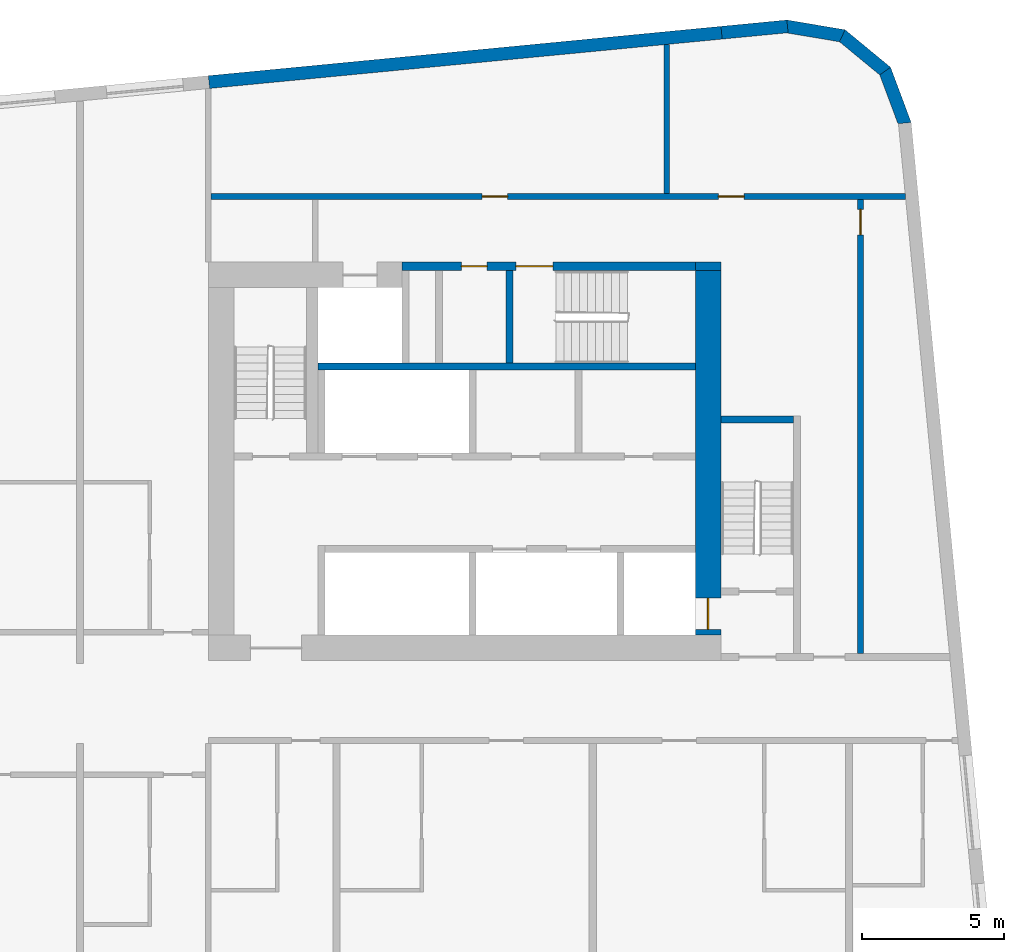
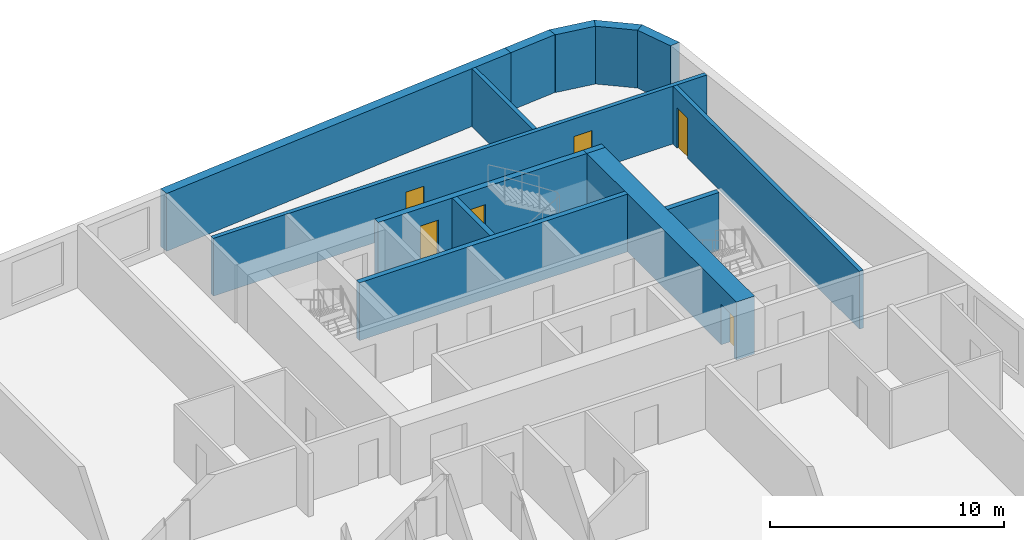
# One storey, part 8 of 12: 14 walls, 6 doors, 6 openings.
"""IFC4 building model written with IfcOpenShell, lengths in metres."""

from ifc_helpers import new_model, si_unit, direction, frame, frame_2d, origin, place, context, subcontext, project, spatial, polyline, rectangle, outline, extrude, material, layer, layer_set, type_object, element, fill, save


model = new_model("IFC4")

# Units and contexts
model_context = context("Model", 3, precision=1e-05, world=origin(), true_north=direction((0.0, 1.0)))
body_context = subcontext(model_context, "Body", "Model", "MODEL_VIEW")
ifc_project = project(units=[si_unit("LENGTHUNIT", "METRE"), si_unit("AREAUNIT", "SQUARE_METRE"), si_unit("VOLUMEUNIT", "CUBIC_METRE"), si_unit("PLANEANGLEUNIT", "RADIAN"), si_unit("MASSUNIT", "GRAM", prefix="KILO")], contexts=[model_context])

# Site, building, storey
site_placement = place(None, origin())
site = spatial("IfcSite", under=ifc_project, at=site_placement, CompositionType="ELEMENT")
building_placement = place(site_placement, origin())
building = spatial("IfcBuilding", under=site, at=building_placement, Name="Kajstack Hotel Tower", CompositionType="ELEMENT")
storey_placement = place(building_placement, frame((0.0, 0.0, 180.10009765625)))
storey = spatial("IfcBuildingStorey", under=building, at=storey_placement, Name="L42", CompositionType="ELEMENT", Elevation=180.10009765625)

# Wall
ifc_material_1 = material(Name="Concrete C60/75", Category="concrete")
ifc_layer_1 = layer(ifc_material_1, 0.89990234375)
ifc_layer_set_1 = layer_set([ifc_layer_1], Name="Core wall 900")
wall_type_1 = type_object("IfcWallType", Name="Core wall 900", PredefinedType="SHEAR", material=ifc_layer_set_1)
wall_1_placement = place(storey_placement, frame((30.60009765625, 15.35009765625, 0.0), z_axis=(0.0, 0.0, 1.0), x_axis=(1.0, 0.0, 0.0)))
element("IfcWall", 1, at=wall_1_placement, inside=storey, type_object=wall_type_1, Name="Core wall E RSW", PredefinedType="SHEAR", context=body_context, shape_type="SweptSolid", body=[
    extrude(rectangle(XDim=0.89990234375, YDim=0.300048828125, at=frame_2d((0.449951171875, 0.0))), origin(), (0.0, 0.0, 1.0), 3.02001953125),
])

# Wall, opening, door
wall_2_placement = place(storey_placement, frame((31.050048828125, 2.39990234375, 0.0), z_axis=(0.0, 0.0, 1.0), x_axis=(0.0, 1.0, 0.0)))
wall_2 = element("IfcWall", 2, at=wall_2_placement, inside=storey, type_object=wall_type_1, Name="Core wall E RW", PredefinedType="SHEAR", context=body_context, shape_type="SweptSolid", body=[
    extrude(rectangle(XDim=12.800048828125, YDim=0.89990234375, at=frame_2d((6.39990234375, 0.0))), origin(), (0.0, 0.0, 1.0), 3.02001953125),
])
opening_1_placement = place(wall_2_placement, frame((0.199951171875, 0.0, 0.0)))
opening_1 = element("IfcOpeningElement", 3, at=opening_1_placement, cuts=wall_2, Name="Opening LD-FF2", PredefinedType="OPENING", context=body_context, shape_type="SweptSolid", body=[
    extrude(rectangle(XDim=1.10009765625, YDim=2.10009765625, at=frame_2d((0.550048828125, 1.050048828125))), frame((0.0, 0.4599609375, 0.0), z_axis=(0.0, -1.0, 0.0), x_axis=(1.0, 0.0, 0.0)), (0.0, 0.0, 1.0), 0.919921875),
])
ifc_material_2 = material(Name="Stainless steel", Category="steel")
door_type_1 = type_object("IfcDoorType", Name="Fire-fighting lift landing door 1100", OperationType="SLIDING_TO_LEFT", PredefinedType="DOOR", material=ifc_material_2)
door_1_placement = place(opening_1_placement, origin())
door_1 = element("IfcDoor", 4, at=door_1_placement, inside=storey, type_object=door_type_1, Name="Landing door FF2", OperationType="SLIDING_TO_LEFT", OverallHeight=2.10009765625, OverallWidth=1.10009765625, PredefinedType="DOOR", context=body_context, shape_type="SweptSolid", body=[
    extrude(rectangle(XDim=1.10009765625, YDim=2.10009765625, at=frame_2d((0.550048828125, 1.050048828125))), frame((0.0, 0.02490234375, 0.0), z_axis=(0.0, -1.0, 0.0), x_axis=(1.0, 0.0, 0.0)), (0.0, 0.0, 1.0), 0.050048828125),
])
fill(opening_1, door_1)

# Walls
ifc_material_3 = material(Name="Concrete C40/50", Category="concrete")
ifc_layer_2 = layer(ifc_material_3, 0.449951171875)
ifc_layer_set_2 = layer_set([ifc_layer_2], Name="EW-CORE")
wall_type_2 = type_object("IfcWallType", Name="EW-CORE", PredefinedType="SOLIDWALL", material=ifc_layer_set_2)
wall_3_placement = place(storey_placement, frame((31.521484375, 23.55078125, 0.0), z_axis=(0.0, 0.0, 1.0), x_axis=(-0.995395166513, -0.095856468129, 0.0)))
element("IfcWall", 5, at=wall_3_placement, inside=storey, type_object=wall_type_2, Name="E-wall-L42-12-01", PredefinedType="SOLIDWALL", context=body_context, shape_type="SweptSolid", body=[
    extrude(rectangle(XDim=18.083251953125, YDim=0.449951171875, at=frame_2d((9.04150390625, 0.0))), origin(), (0.0, 0.0, 1.0), 3.02001953125),
])
ifc_material_4 = material(Name="Terracotta-faced brick masonry", Category="masonry")
ifc_layer_3 = layer(ifc_material_4, 0.449951171875)
ifc_layer_set_3 = layer_set([ifc_layer_3], Name="EW-TERRA")
wall_type_3 = type_object("IfcWallType", Name="EW-TERRA", PredefinedType="SOLIDWALL", material=ifc_layer_set_3)
wall_4_placement = place(storey_placement, frame((37.96875, 20.320556640625, 0.0), z_axis=(0.0, 0.0, 1.0), x_axis=(-0.350192909346, 0.936677599948, 0.0)))
element("IfcWall", 6, at=wall_4_placement, inside=storey, type_object=wall_type_3, Name="E-wall-L42-09-00", PredefinedType="SOLIDWALL", context=body_context, shape_type="SweptSolid", body=[
    extrude(outline(polyline([(0.0, -0.22509765625), (2.070556640625, -0.22509765625), (1.949951171875, 0.22509765625), (0.12060546875, 0.224853515625), (0.0, -0.22509765625)])), origin(), (0.0, 0.0, 1.0), 3.02001953125),
])
wall_5_placement = place(storey_placement, frame((37.311279296875, 22.165283203125, 0.0), z_axis=(0.0, 0.0, 1.0), x_axis=(-0.771651049663, 0.636046112757, 0.0)))
element("IfcWall", 7, at=wall_5_placement, inside=storey, type_object=wall_type_3, Name="E-wall-L42-10-00", PredefinedType="SOLIDWALL", context=body_context, shape_type="SweptSolid", body=[
    extrude(outline(polyline([(0.0, -0.224853515625), (2.0703125, -0.22509765625), (1.94970703125, 0.224853515625), (0.12060546875, 0.22509765625), (0.0, -0.224853515625)])), origin(), (0.0, 0.0, 1.0), 3.02001953125),
])
wall_6_placement = place(storey_placement, frame((35.819580078125, 23.433837890625, 0.0), z_axis=(0.0, 0.0, 1.0), x_axis=(-0.986278951104, 0.165087342366, 0.0)))
element("IfcWall", 8, at=wall_6_placement, inside=storey, type_object=wall_type_3, Name="E-wall-L42-11-00", PredefinedType="SOLIDWALL", context=body_context, shape_type="SweptSolid", body=[
    extrude(outline(polyline([(0.0, -0.22509765625), (2.070556640625, -0.224853515625), (1.949951171875, 0.22509765625), (0.12060546875, 0.224853515625), (0.0, -0.22509765625)])), origin(), (0.0, 0.0, 1.0), 3.02001953125),
])
wall_7_placement = place(storey_placement, frame((33.836181640625, 23.7734375, 0.0), z_axis=(0.0, 0.0, 1.0), x_axis=(-0.995405373555, -0.095750416695, 0.0)))
element("IfcWall", 9, at=wall_7_placement, inside=storey, type_object=wall_type_3, Name="E-wall-L42-12-00", PredefinedType="SOLIDWALL", context=body_context, shape_type="SweptSolid", body=[
    extrude(rectangle(XDim=2.325439453125, YDim=0.449951171875, at=frame_2d((1.16259765625, 0.0))), origin(), (0.0, 0.0, 1.0), 3.02001953125),
])

# Wall, opening, door
ifc_material_5 = material(Name="Gypsum board on steel studs, mineral wool", Category="steel")
ifc_layer_4 = layer(ifc_material_5, 0.199951171875)
ifc_layer_set_4 = layer_set([ifc_layer_4], Name="Service partition 200")
wall_type_4 = type_object("IfcWallType", Name="Service partition 200", PredefinedType="PARTITIONING", material=ifc_layer_set_4)
wall_8_placement = place(storey_placement, frame((36.39990234375, 1.75, 0.0), z_axis=(0.0, 0.0, 1.0), x_axis=(0.0, 1.0, 0.0)))
wall_8 = element("IfcWall", 10, at=wall_8_placement, inside=storey, type_object=wall_type_4, Name="Partition E WRE", PredefinedType="PARTITIONING", context=body_context, shape_type="SweptSolid", body=[
    extrude(rectangle(XDim=15.949951171875, YDim=0.199951171875, at=frame_2d((7.97509765625, 0.0))), origin(), (0.0, 0.0, 1.0), 3.02001953125),
])
opening_2_placement = place(wall_8_placement, frame((14.699951171875, 0.0, 0.0)))
opening_2 = element("IfcOpeningElement", 11, at=opening_2_placement, cuts=wall_8, Name="Opening 42E18", PredefinedType="OPENING", context=body_context, shape_type="SweptSolid", body=[
    extrude(rectangle(XDim=0.89990234375, YDim=2.10009765625, at=frame_2d((0.449951171875, 1.050048828125))), frame((0.0, 0.10986328125, 0.0), z_axis=(0.0, -1.0, 0.0), x_axis=(1.0, 0.0, 0.0)), (0.0, 0.0, 1.0), 0.219970703125),
])
ifc_material_6 = material(Name="Timber leaf, fire-rated", Category="wood")
door_type_2 = type_object("IfcDoorType", Name="Service door 900", OperationType="SINGLE_SWING_LEFT", PredefinedType="DOOR", material=ifc_material_6)
door_2_placement = place(opening_2_placement, origin())
door_2 = element("IfcDoor", 12, at=door_2_placement, inside=storey, type_object=door_type_2, Name="Door 42E18", OperationType="SINGLE_SWING_RIGHT", OverallHeight=2.10009765625, OverallWidth=0.89990234375, PredefinedType="DOOR", context=body_context, shape_type="SweptSolid", body=[
    extrude(rectangle(XDim=0.89990234375, YDim=2.10009765625, at=frame_2d((0.449951171875, 1.050048828125))), frame((0.0, 0.02490234375, 0.0), z_axis=(0.0, -1.0, 0.0), x_axis=(1.0, 0.0, 0.0)), (0.0, 0.0, 1.0), 0.050048828125),
])
fill(opening_2, door_2)

# Wall, openings, doors
wall_9_placement = place(storey_placement, frame((13.60009765625, 17.800048828125, 0.0), z_axis=(0.0, 0.0, 1.0), x_axis=(1.0, 0.0, 0.0)))
wall_9 = element("IfcWall", 13, at=wall_9_placement, inside=storey, type_object=wall_type_4, Name="Partition E SLN", PredefinedType="PARTITIONING", context=body_context, shape_type="SweptSolid", body=[
    extrude(rectangle(XDim=24.377685546875, YDim=0.199951171875, at=frame_2d((12.18896484375, 0.0))), origin(), (0.0, 0.0, 1.0), 3.02001953125),
])
opening_3_placement = place(wall_9_placement, frame((17.8125, 0.0, 0.0)))
opening_3 = element("IfcOpeningElement", 14, at=opening_3_placement, cuts=wall_9, Name="Opening 42E16", PredefinedType="OPENING", context=body_context, shape_type="SweptSolid", body=[
    extrude(rectangle(XDim=0.89990234375, YDim=2.10009765625, at=frame_2d((0.449951171875, 1.050048828125))), frame((0.0, 0.10986328125, 0.0), z_axis=(0.0, -1.0, 0.0), x_axis=(1.0, 0.0, 0.0)), (0.0, 0.0, 1.0), 0.219970703125),
])
opening_4_placement = place(wall_9_placement, frame((9.512451171875, 0.0, 0.0)))
opening_4 = element("IfcOpeningElement", 15, at=opening_4_placement, cuts=wall_9, Name="Opening 42E17", PredefinedType="OPENING", context=body_context, shape_type="SweptSolid", body=[
    extrude(rectangle(XDim=0.89990234375, YDim=2.10009765625, at=frame_2d((0.449951171875, 1.050048828125))), frame((0.0, 0.10986328125, 0.0), z_axis=(0.0, -1.0, 0.0), x_axis=(1.0, 0.0, 0.0)), (0.0, 0.0, 1.0), 0.219970703125),
])
door_3_placement = place(opening_3_placement, origin())
door_3 = element("IfcDoor", 16, at=door_3_placement, inside=storey, type_object=door_type_2, Name="Door 42E16", OperationType="SINGLE_SWING_LEFT", OverallHeight=2.10009765625, OverallWidth=0.89990234375, PredefinedType="DOOR", context=body_context, shape_type="SweptSolid", body=[
    extrude(rectangle(XDim=0.89990234375, YDim=2.10009765625, at=frame_2d((0.449951171875, 1.050048828125))), frame((0.0, 0.02490234375, 0.0), z_axis=(0.0, -1.0, 0.0), x_axis=(1.0, 0.0, 0.0)), (0.0, 0.0, 1.0), 0.050048828125),
])
fill(opening_3, door_3)
door_4_placement = place(opening_4_placement, origin())
door_4 = element("IfcDoor", 17, at=door_4_placement, inside=storey, type_object=door_type_2, Name="Door 42E17", OperationType="SINGLE_SWING_LEFT", OverallHeight=2.10009765625, OverallWidth=0.89990234375, PredefinedType="DOOR", context=body_context, shape_type="SweptSolid", body=[
    extrude(rectangle(XDim=0.89990234375, YDim=2.10009765625, at=frame_2d((0.449951171875, 1.050048828125))), frame((0.0, 0.02490234375, 0.0), z_axis=(0.0, -1.0, 0.0), x_axis=(1.0, 0.0, 0.0)), (0.0, 0.0, 1.0), 0.050048828125),
])
fill(opening_4, door_4)

# Wall
wall_10_placement = place(storey_placement, frame((29.60009765625, 17.89990234375, 0.0), z_axis=(0.0, 0.0, 1.0), x_axis=(0.0, 1.0, 0.0)))
element("IfcWall", 18, at=wall_10_placement, inside=storey, type_object=wall_type_4, Name="Partition E SLP0", PredefinedType="PARTITIONING", context=body_context, shape_type="SweptSolid", body=[
    extrude(rectangle(XDim=5.24072265625, YDim=0.199951171875, at=frame_2d((2.620361328125, 0.0))), origin(), (0.0, 0.0, 1.0), 3.02001953125),
])

# Wall, openings, doors
ifc_material_7 = material(Name="Concrete C50/60", Category="concrete")
ifc_layer_5 = layer(ifc_material_7, 0.25)
ifc_layer_set_5 = layer_set([ifc_layer_5], Name="Shaft wall 250")
wall_type_5 = type_object("IfcWallType", Name="Shaft wall 250", PredefinedType="SHEAR", material=ifc_layer_set_5)
wall_11_placement = place(storey_placement, frame((20.300048828125, 15.35009765625, 0.0), z_axis=(0.0, 0.0, 1.0), x_axis=(1.0, 0.0, 0.0)))
wall_11 = element("IfcWall", 19, at=wall_11_placement, inside=storey, type_object=wall_type_5, Name="Core wall E RSS", PredefinedType="SHEAR", context=body_context, shape_type="SweptSolid", body=[
    extrude(rectangle(XDim=10.300048828125, YDim=0.300048828125, at=frame_2d((5.14990234375, 0.0))), origin(), (0.0, 0.0, 1.0), 3.02001953125),
])
opening_5_placement = place(wall_11_placement, frame((4.0, 0.0, 0.0)))
opening_5 = element("IfcOpeningElement", 20, at=opening_5_placement, cuts=wall_11, Name="Opening 42E12", PredefinedType="OPENING", context=body_context, shape_type="SweptSolid", body=[
    extrude(rectangle(XDim=1.300048828125, YDim=2.10009765625, at=frame_2d((0.64990234375, 1.050048828125))), frame((0.0, 0.159912109375, 0.0), z_axis=(0.0, -1.0, 0.0), x_axis=(1.0, 0.0, 0.0)), (0.0, 0.0, 1.0), 0.320068359375),
])
opening_6_placement = place(wall_11_placement, frame((2.08740234375, 0.0, 0.0)))
opening_6 = element("IfcOpeningElement", 21, at=opening_6_placement, cuts=wall_11, Name="Opening 42E13", PredefinedType="OPENING", context=body_context, shape_type="SweptSolid", body=[
    extrude(rectangle(XDim=0.89990234375, YDim=2.10009765625, at=frame_2d((0.449951171875, 1.050048828125))), frame((0.0, 0.159912109375, 0.0), z_axis=(0.0, -1.0, 0.0), x_axis=(1.0, 0.0, 0.0)), (0.0, 0.0, 1.0), 0.320068359375),
])
door_5_placement = place(opening_6_placement, origin())
door_5 = element("IfcDoor", 22, at=door_5_placement, inside=storey, type_object=door_type_2, Name="Door 42E13", OperationType="SINGLE_SWING_RIGHT", OverallHeight=2.10009765625, OverallWidth=0.89990234375, PredefinedType="DOOR", context=body_context, shape_type="SweptSolid", body=[
    extrude(rectangle(XDim=0.89990234375, YDim=2.10009765625, at=frame_2d((0.449951171875, 1.050048828125))), frame((0.0, 0.02490234375, 0.0), z_axis=(0.0, -1.0, 0.0), x_axis=(1.0, 0.0, 0.0)), (0.0, 0.0, 1.0), 0.050048828125),
])
fill(opening_6, door_5)
ifc_material_8 = material(Name="Steel leaf, fire-rated", Category="steel")
door_type_3 = type_object("IfcDoorType", Name="Stair door 1300", OperationType="SINGLE_SWING_LEFT", PredefinedType="DOOR", material=ifc_material_8)
door_6_placement = place(opening_5_placement, origin())
door_6 = element("IfcDoor", 23, at=door_6_placement, inside=storey, type_object=door_type_3, Name="Door 42E12", OperationType="SINGLE_SWING_LEFT", OverallHeight=2.10009765625, OverallWidth=1.300048828125, PredefinedType="DOOR", context=body_context, shape_type="SweptSolid", body=[
    extrude(rectangle(XDim=1.300048828125, YDim=2.10009765625, at=frame_2d((0.64990234375, 1.050048828125))), frame((0.0, 0.02490234375, 0.0), z_axis=(0.0, -1.0, 0.0), x_axis=(1.0, 0.0, 0.0)), (0.0, 0.0, 1.0), 0.050048828125),
])
fill(opening_5, door_6)

# Walls
wall_12_placement = place(storey_placement, frame((17.35009765625, 11.824951171875, 0.0), z_axis=(0.0, 0.0, 1.0), x_axis=(1.0, 0.0, 0.0)))
element("IfcWall", 24, at=wall_12_placement, inside=storey, type_object=wall_type_5, Name="Core wall E RB", PredefinedType="SHEAR", context=body_context, shape_type="SweptSolid", body=[
    extrude(rectangle(XDim=13.25, YDim=0.25, at=frame_2d((6.625, 0.0))), origin(), (0.0, 0.0, 1.0), 3.02001953125),
])
ifc_layer_6 = layer(ifc_material_3, 0.25)
ifc_layer_set_6 = layer_set([ifc_layer_6], Name="Stair enclosure wall 250")
wall_type_6 = type_object("IfcWallType", Name="Stair enclosure wall 250", PredefinedType="SHEAR", material=ifc_layer_set_6)
wall_13_placement = place(storey_placement, frame((31.5, 9.97509765625, 0.0), z_axis=(0.0, 0.0, 1.0), x_axis=(1.0, 0.0, 0.0)))
element("IfcWall", 25, at=wall_13_placement, inside=storey, type_object=wall_type_6, Name="Core wall E W1S", PredefinedType="SHEAR", context=body_context, shape_type="SweptSolid", body=[
    extrude(rectangle(XDim=2.550048828125, YDim=0.25, at=frame_2d((1.27490234375, 0.0))), origin(), (0.0, 0.0, 1.0), 3.02001953125),
])
ifc_layer_7 = layer(ifc_material_7, 0.35009765625)
ifc_layer_set_7 = layer_set([ifc_layer_7], Name="Stair enclosure wall 350")
wall_type_7 = type_object("IfcWallType", Name="Stair enclosure wall 350", PredefinedType="SHEAR", material=ifc_layer_set_7)
wall_14_placement = place(storey_placement, frame((24.074951171875, 11.949951171875, 0.0), z_axis=(0.0, 0.0, 1.0), x_axis=(0.0, 1.0, 0.0)))
element("IfcWall", 26, at=wall_14_placement, inside=storey, type_object=wall_type_7, Name="Core wall E W3E", PredefinedType="SHEAR", context=body_context, shape_type="SweptSolid", body=[
    extrude(rectangle(XDim=3.25, YDim=0.25, at=frame_2d((1.625, 0.0))), origin(), (0.0, 0.0, 1.0), 3.02001953125),
])

save(model, "model.ifc")
